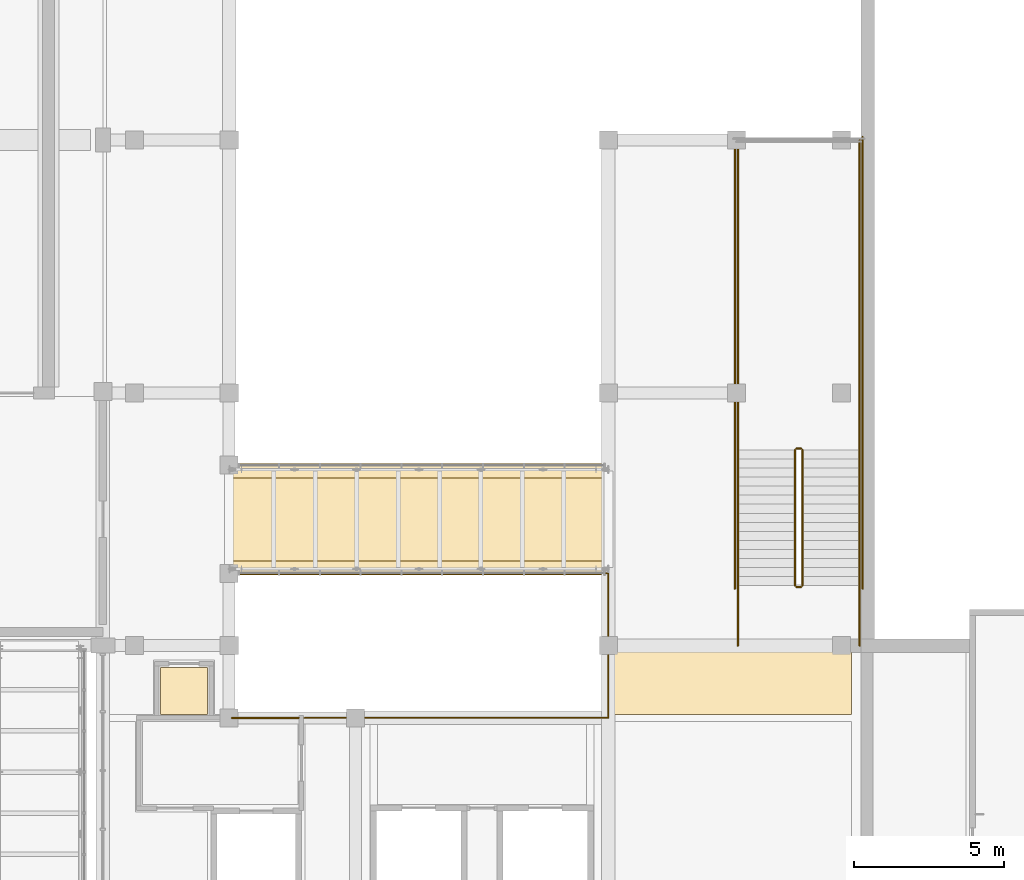
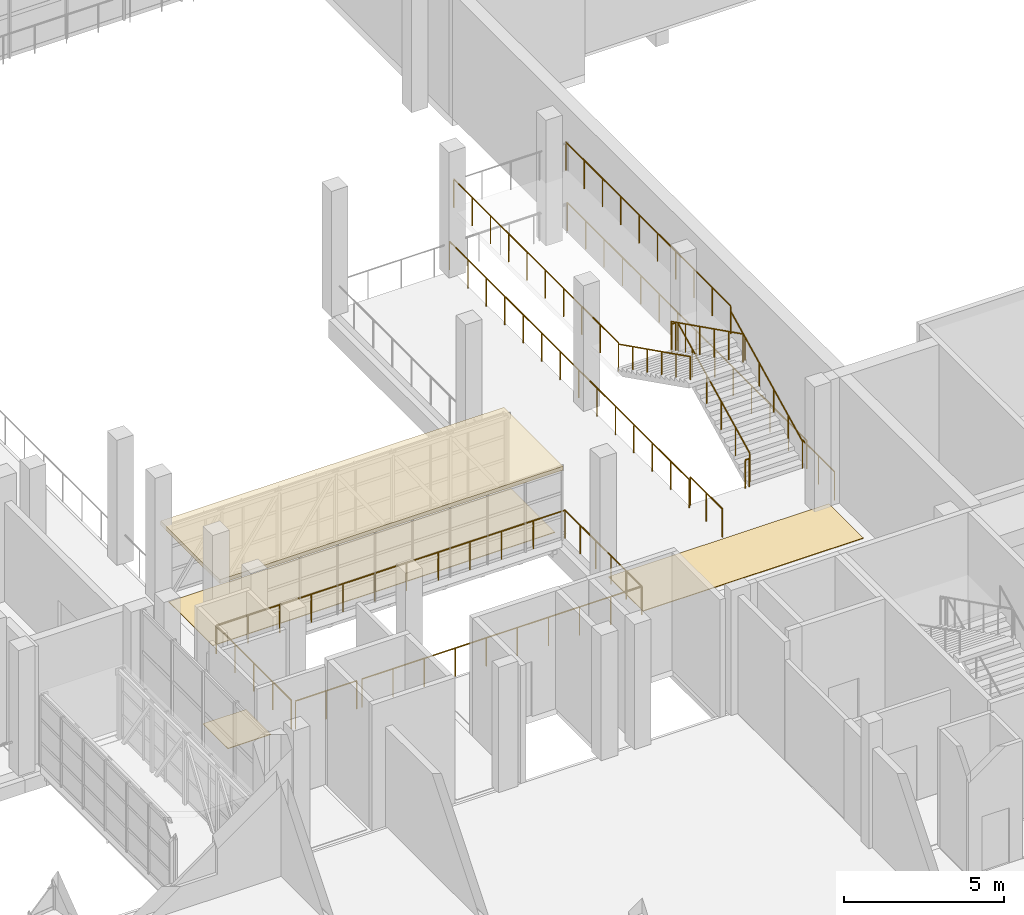
# One storey, part 74 of 86: 14 railings, 4 coverings.
"""IFC4 building model written with IfcOpenShell, lengths in metres."""

from ifc_helpers import new_model, si_unit, direction, frame, origin, origin_2d, place, context, subcontext, project, spatial, polyline, circle, outline, extrude, material, layer, layer_set, type_object, element, save


model = new_model("IFC4")

# Units and contexts
model_context = context("Model", 3, precision=1e-05, world=origin(), true_north=direction((0.0, 1.0)))
body_context = subcontext(model_context, "Body", "Model", "MODEL_VIEW")
ifc_project = project(units=[si_unit("LENGTHUNIT", "METRE"), si_unit("AREAUNIT", "SQUARE_METRE"), si_unit("VOLUMEUNIT", "CUBIC_METRE"), si_unit("PLANEANGLEUNIT", "RADIAN"), si_unit("MASSUNIT", "GRAM", prefix="KILO")], contexts=[model_context])

# Site, building, storey
site_placement = place(None, origin())
site = spatial("IfcSite", under=ifc_project, at=site_placement, CompositionType="ELEMENT")
building_placement = place(site_placement, origin())
building = spatial("IfcBuilding", under=site, at=building_placement, Name="Kiln Court Media Centre", CompositionType="ELEMENT")
storey_placement = place(building_placement, frame((0.0, 0.0, 10.199951171875)))
storey = spatial("IfcBuildingStorey", under=building, at=storey_placement, Name="L02", CompositionType="ELEMENT", Elevation=10.199951171875)

# Coverings
ifc_material_1 = material(Name="Steel ASTM A572 Gr 50 with insulated core", Category="steel")
ifc_layer_1 = layer(ifc_material_1, 0.14990234375)
ifc_layer_set_1 = layer_set([ifc_layer_1], Name="Insulated steel sandwich bridge roof 150")
covering_type_1 = type_object("IfcCoveringType", Name="Insulated steel sandwich bridge roof 150", PredefinedType="ROOFING", material=ifc_layer_set_1)
covering_1_placement = place(storey_placement, frame((0.0, 0.0, 2.675048828125)))
element("IfcCovering", 1, at=covering_1_placement, inside=storey, type_object=covering_type_1, Name="BR-L02-FOY-11 roof", PredefinedType="ROOFING", context=body_context, shape_type="SweptSolid", body=[
    extrude(outline(polyline([(37.89990234375, 35.945068359375), (50.300048828125, 35.945068359375), (50.300048828125, 39.655029296875), (37.89990234375, 39.655029296875), (37.89990234375, 35.945068359375)])), origin(), (0.0, 0.0, 1.0), 0.14990234375),
])
ifc_material_2 = material(Name="Terrazzo")
ifc_layer_2 = layer(ifc_material_2, 0.02490234375)
ifc_layer_set_2 = layer_set([ifc_layer_2], Name="Polished terrazzo floor finish 25")
covering_type_2 = type_object("IfcCoveringType", Name="Polished terrazzo floor finish 25", PredefinedType="FLOORING", material=ifc_layer_set_2)
covering_2_placement = place(storey_placement, origin())
element("IfcCovering", 2, at=covering_2_placement, inside=storey, type_object=covering_type_2, Name="Wheelchair Refuge floor finish", PredefinedType="FLOORING", context=body_context, shape_type="SweptSolid", body=[
    extrude(outline(polyline([(35.52001953125, 31.320068359375), (37.080078125, 31.320068359375), (37.080078125, 32.8798828125), (35.52001953125, 32.8798828125), (35.52001953125, 31.320068359375)])), origin(), (0.0, 0.0, 1.0), 0.025146484375),
])
covering_3_placement = place(storey_placement, origin())
element("IfcCovering", 3, at=covering_3_placement, inside=storey, type_object=covering_type_2, Name="Stair Landing Gallery floor finish", PredefinedType="FLOORING", context=body_context, shape_type="SweptSolid", body=[
    extrude(outline(polyline([(50.52001953125, 31.320068359375), (58.47998046875, 31.320068359375), (58.47998046875, 33.47998046875), (50.52001953125, 33.47998046875), (50.52001953125, 31.320068359375)])), origin(), (0.0, 0.0, 1.0), 0.025146484375),
])
covering_4_placement = place(storey_placement, origin())
element("IfcCovering", 4, at=covering_4_placement, inside=storey, type_object=covering_type_2, Name="Foyer Bridge floor finish", PredefinedType="FLOORING", context=body_context, shape_type="SweptSolid", body=[
    extrude(outline(polyline([(50.280029296875, 36.419921875), (50.280029296875, 39.179931640625), (37.919921875, 39.179931640625), (37.919921875, 36.419921875), (50.280029296875, 36.419921875)])), origin(), (0.0, 0.0, 1.0), 0.025146484375),
])

# Railings
ifc_material_3 = material(Name="Steel S275", Category="steel")
railing_type_1 = type_object("IfcRailingType", Name="Steel S275 balustrade guard 1100", PredefinedType="GUARDRAIL", material=ifc_material_3)
railing_1_placement = place(storey_placement, frame((40.294921875, 31.199951171875, 0.0)))
element("IfcRailing", 5, at=railing_1_placement, inside=storey, type_object=railing_type_1, Name="L02 void edge guard", PredefinedType="GUARDRAIL", context=body_context, shape_type="SweptSolid", body=[
    extrude(circle(Radius=0.02392578125, at=origin_2d()), frame((0.0, 0.0, 1.076171875), z_axis=(1.0, 0.0, 0.0), x_axis=(0.0, 1.0, 0.0)), (0.0, 0.0, 1.0), 10.10498046875),
    extrude(circle(Radius=0.02392578125, at=origin_2d()), frame((10.10498046875, 0.0, 1.076171875), z_axis=(0.0, 1.0, 0.0), x_axis=(-1.0, 0.0, 0.0)), (0.0, 0.0, 1.0), 4.800048828125),
    extrude(circle(Radius=0.02392578125, at=origin_2d()), frame((10.10498046875, 4.800048828125, 1.076171875), z_axis=(-1.0, 0.0, 0.0), x_axis=(0.0, -1.0, 0.0)), (0.0, 0.0, 1.0), 12.599853515625),
    extrude(circle(Radius=0.02392578125, at=origin_2d()), frame((-2.494873046875, 4.800048828125, 1.076171875), z_axis=(0.0, -1.0, 0.0), x_axis=(1.0, 0.0, 0.0)), (0.0, 0.0, 1.0), 4.705078125),
    extrude(circle(Radius=0.02099609375, at=origin_2d()), origin(), (0.0, 0.0, 1.0), 1.052001953125),
    extrude(circle(Radius=0.02099609375, at=origin_2d()), frame((1.122802734375, 0.0, 0.0)), (0.0, 0.0, 1.0), 1.052001953125),
    extrude(circle(Radius=0.02099609375, at=origin_2d()), frame((2.24560546875, 0.0, 0.0)), (0.0, 0.0, 1.0), 1.052001953125),
    extrude(circle(Radius=0.02099609375, at=origin_2d()), frame((3.368408203125, 0.0, 0.0)), (0.0, 0.0, 1.0), 1.052001953125),
    extrude(circle(Radius=0.02099609375, at=origin_2d()), frame((4.4912109375, 0.0, 0.0)), (0.0, 0.0, 1.0), 1.052001953125),
    extrude(circle(Radius=0.02099609375, at=origin_2d()), frame((5.61376953125, 0.0, 0.0)), (0.0, 0.0, 1.0), 1.052001953125),
    extrude(circle(Radius=0.02099609375, at=origin_2d()), frame((6.736572265625, 0.0, 0.0)), (0.0, 0.0, 1.0), 1.052001953125),
    extrude(circle(Radius=0.02099609375, at=origin_2d()), frame((7.859375, 0.0, 0.0)), (0.0, 0.0, 1.0), 1.052001953125),
    extrude(circle(Radius=0.02099609375, at=origin_2d()), frame((8.982177734375, 0.0, 0.0)), (0.0, 0.0, 1.0), 1.052001953125),
    extrude(circle(Radius=0.02099609375, at=origin_2d()), frame((10.10498046875, 0.0, 0.0)), (0.0, 0.0, 1.0), 1.052001953125),
    extrude(circle(Radius=0.02099609375, at=origin_2d()), frame((10.10498046875, 0.9599609375, 0.0)), (0.0, 0.0, 1.0), 1.052001953125),
    extrude(circle(Radius=0.02099609375, at=origin_2d()), frame((10.10498046875, 1.919921875, 0.0)), (0.0, 0.0, 1.0), 1.052001953125),
    extrude(circle(Radius=0.02099609375, at=origin_2d()), frame((10.10498046875, 2.880126953125, 0.0)), (0.0, 0.0, 1.0), 1.052001953125),
    extrude(circle(Radius=0.02099609375, at=origin_2d()), frame((10.10498046875, 3.840087890625, 0.0)), (0.0, 0.0, 1.0), 1.052001953125),
    extrude(circle(Radius=0.02099609375, at=origin_2d()), frame((10.10498046875, 4.800048828125, 0.0)), (0.0, 0.0, 1.0), 1.052001953125),
    extrude(circle(Radius=0.02099609375, at=origin_2d()), frame((8.95947265625, 4.800048828125, 0.0)), (0.0, 0.0, 1.0), 1.052001953125),
    extrude(circle(Radius=0.02099609375, at=origin_2d()), frame((7.814208984375, 4.800048828125, 0.0)), (0.0, 0.0, 1.0), 1.052001953125),
    extrude(circle(Radius=0.02099609375, at=origin_2d()), frame((6.668701171875, 4.800048828125, 0.0)), (0.0, 0.0, 1.0), 1.052001953125),
    extrude(circle(Radius=0.02099609375, at=origin_2d()), frame((5.523193359375, 4.800048828125, 0.0)), (0.0, 0.0, 1.0), 1.052001953125),
    extrude(circle(Radius=0.02099609375, at=origin_2d()), frame((4.377685546875, 4.800048828125, 0.0)), (0.0, 0.0, 1.0), 1.052001953125),
    extrude(circle(Radius=0.02099609375, at=origin_2d()), frame((3.232421875, 4.800048828125, 0.0)), (0.0, 0.0, 1.0), 1.052001953125),
    extrude(circle(Radius=0.02099609375, at=origin_2d()), frame((2.0869140625, 4.800048828125, 0.0)), (0.0, 0.0, 1.0), 1.052001953125),
    extrude(circle(Radius=0.02099609375, at=origin_2d()), frame((0.94140625, 4.800048828125, 0.0)), (0.0, 0.0, 1.0), 1.052001953125),
    extrude(circle(Radius=0.02099609375, at=origin_2d()), frame((-0.2041015625, 4.800048828125, 0.0)), (0.0, 0.0, 1.0), 1.052001953125),
    extrude(circle(Radius=0.02099609375, at=origin_2d()), frame((-1.349365234375, 4.800048828125, 0.0)), (0.0, 0.0, 1.0), 1.052001953125),
    extrude(circle(Radius=0.02099609375, at=origin_2d()), frame((-2.494873046875, 4.800048828125, 0.0)), (0.0, 0.0, 1.0), 1.052001953125),
    extrude(circle(Radius=0.02099609375, at=origin_2d()), frame((-2.494873046875, 3.623779296875, 0.0)), (0.0, 0.0, 1.0), 1.052001953125),
    extrude(circle(Radius=0.02099609375, at=origin_2d()), frame((-2.494873046875, 2.447509765625, 0.0)), (0.0, 0.0, 1.0), 1.052001953125),
    extrude(circle(Radius=0.02099609375, at=origin_2d()), frame((-2.494873046875, 1.271240234375, 0.0)), (0.0, 0.0, 1.0), 1.052001953125),
    extrude(circle(Radius=0.02099609375, at=origin_2d()), frame((-2.494873046875, 0.094970703125, 0.0)), (0.0, 0.0, 1.0), 1.052001953125),
])
railing_2_placement = place(storey_placement, frame((37.89501953125, 31.199951171875, 0.0)))
element("IfcRailing", 6, at=railing_2_placement, inside=storey, type_object=railing_type_1, Name="L02 void edge guard", PredefinedType="GUARDRAIL", context=body_context, shape_type="SweptSolid", body=[
    extrude(circle(Radius=0.02392578125, at=origin_2d()), frame((0.0, 0.0, 1.076171875), z_axis=(1.0, 0.0, 0.0), x_axis=(0.0, 1.0, 0.0)), (0.0, 0.0, 1.0), 2.2099609375),
    extrude(circle(Radius=0.02099609375, at=origin_2d()), origin(), (0.0, 0.0, 1.0), 1.052001953125),
    extrude(circle(Radius=0.02099609375, at=origin_2d()), frame((1.10498046875, 0.0, 0.0)), (0.0, 0.0, 1.0), 1.052001953125),
    extrude(circle(Radius=0.02099609375, at=origin_2d()), frame((2.2099609375, 0.0, 0.0)), (0.0, 0.0, 1.0), 1.052001953125),
])
ifc_material_4 = material(Name="Steel S275", Category="steel")
railing_type_2 = type_object("IfcRailingType", Name="Steel S275 stair guard 1100", PredefinedType="GUARDRAIL", material=ifc_material_4)
railing_3_placement = place(storey_placement, frame((56.85009765625, 35.60009765625, 0.150146484375)))
element("IfcRailing", 7, at=railing_3_placement, inside=storey, type_object=railing_type_2, Name="ST-F1 stair guard", PredefinedType="GUARDRAIL", context=body_context, shape_type="SweptSolid", body=[
    extrude(circle(Radius=0.02392578125, at=origin_2d()), frame((0.0, 0.0, 1.076171875), z_axis=(0.0, 0.894427191, 0.4472135955), x_axis=(-1.0, 0.0, 0.0)), (0.0, 0.0, 1.0), 5.03125),
    extrude(circle(Radius=0.02099609375, at=origin_2d()), origin(), (0.0, 0.0, 1.0), 1.052001953125),
    extrude(circle(Radius=0.02099609375, at=origin_2d()), frame((0.0, 0.89990234375, 0.449951171875)), (0.0, 0.0, 1.0), 1.052001953125),
    extrude(circle(Radius=0.02099609375, at=origin_2d()), frame((0.0, 1.800048828125, 0.89990234375)), (0.0, 0.0, 1.0), 1.052001953125),
    extrude(circle(Radius=0.02099609375, at=origin_2d()), frame((0.0, 2.699951171875, 1.35009765625)), (0.0, 0.0, 1.0), 1.052001953125),
    extrude(circle(Radius=0.02099609375, at=origin_2d()), frame((0.0, 3.60009765625, 1.800048828125)), (0.0, 0.0, 1.0), 1.052001953125),
    extrude(circle(Radius=0.02099609375, at=origin_2d()), frame((0.0, 4.5, 2.25)), (0.0, 0.0, 1.0), 1.052001953125),
])
railing_4_placement = place(storey_placement, frame((56.800048828125, 40.14990234375, 2.400146484375)))
element("IfcRailing", 8, at=railing_4_placement, inside=storey, type_object=railing_type_2, Name="ST-F1 stair guard", PredefinedType="GUARDRAIL", context=body_context, shape_type="SweptSolid", body=[
    extrude(circle(Radius=0.02392578125, at=origin_2d()), frame((0.0, 0.0, 1.076171875), z_axis=(-1.0, 0.0, 0.0), x_axis=(0.0, -1.0, 0.0)), (0.0, 0.0, 1.0), 0.150146484375),
    extrude(circle(Radius=0.02099609375, at=origin_2d()), origin(), (0.0, 0.0, 1.0), 1.052001953125),
    extrude(circle(Radius=0.02099609375, at=origin_2d()), frame((-0.150146484375, 0.0, 0.0)), (0.0, 0.0, 1.0), 1.052001953125),
])
for number, where, name in (
    (9, (58.75, 40.10009765625, 2.400146484375), "ST-F1 stair guard"),
    (10, (54.699951171875, 40.10009765625, 2.400146484375), "ST-F1 stair guard"),
):
    element("IfcRailing", number, at=place(storey_placement, frame(where)), inside=storey, type_object=railing_type_2, Name=name, PredefinedType="GUARDRAIL", context=body_context, shape_type="SweptSolid", body=[
        extrude(circle(Radius=0.02392578125, at=origin_2d()), frame((0.0, 0.0, 1.076171875), z_axis=(0.0, 1.0, 0.0), x_axis=(-1.0, 0.0, 0.0)), (0.0, 0.0, 1.0), 10.2998046875),
        extrude(circle(Radius=0.02099609375, at=origin_2d()), origin(), (0.0, 0.0, 1.0), 1.052001953125),
        extrude(circle(Radius=0.02099609375, at=origin_2d()), frame((0.0, 1.14453125, 0.0)), (0.0, 0.0, 1.0), 1.052001953125),
        extrude(circle(Radius=0.02099609375, at=origin_2d()), frame((0.0, 2.288818359375, 0.0)), (0.0, 0.0, 1.0), 1.052001953125),
        extrude(circle(Radius=0.02099609375, at=origin_2d()), frame((0.0, 3.433349609375, 0.0)), (0.0, 0.0, 1.0), 1.052001953125),
        extrude(circle(Radius=0.02099609375, at=origin_2d()), frame((0.0, 4.57763671875, 0.0)), (0.0, 0.0, 1.0), 1.052001953125),
        extrude(circle(Radius=0.02099609375, at=origin_2d()), frame((0.0, 5.72216796875, 0.0)), (0.0, 0.0, 1.0), 1.052001953125),
        extrude(circle(Radius=0.02099609375, at=origin_2d()), frame((0.0, 6.866455078125, 0.0)), (0.0, 0.0, 1.0), 1.052001953125),
        extrude(circle(Radius=0.02099609375, at=origin_2d()), frame((0.0, 8.010986328125, 0.0)), (0.0, 0.0, 1.0), 1.052001953125),
        extrude(circle(Radius=0.02099609375, at=origin_2d()), frame((0.0, 9.1552734375, 0.0)), (0.0, 0.0, 1.0), 1.052001953125),
        extrude(circle(Radius=0.02099609375, at=origin_2d()), frame((0.0, 10.2998046875, 0.0)), (0.0, 0.0, 1.0), 1.052001953125),
    ])
railing_5_placement = place(storey_placement, frame((56.60009765625, 40.10009765625, 2.550048828125)))
element("IfcRailing", 11, at=railing_5_placement, inside=storey, type_object=railing_type_2, Name="ST-F1 stair guard", PredefinedType="GUARDRAIL", context=body_context, shape_type="SweptSolid", body=[
    extrude(circle(Radius=0.02392578125, at=origin_2d()), frame((0.0, 0.0, 1.076171875), z_axis=(0.0, -0.894427191, 0.4472135955), x_axis=(1.0, 0.0, 0.0)), (0.0, 0.0, 1.0), 5.03125),
    extrude(circle(Radius=0.02099609375, at=origin_2d()), origin(), (0.0, 0.0, 1.0), 1.052001953125),
    extrude(circle(Radius=0.02099609375, at=origin_2d()), frame((0.0, -0.89990234375, 0.449951171875)), (0.0, 0.0, 1.0), 1.052001953125),
    extrude(circle(Radius=0.02099609375, at=origin_2d()), frame((0.0, -1.800048828125, 0.89990234375)), (0.0, 0.0, 1.0), 1.052001953125),
    extrude(circle(Radius=0.02099609375, at=origin_2d()), frame((0.0, -2.699951171875, 1.35009765625)), (0.0, 0.0, 1.0), 1.052001953125),
    extrude(circle(Radius=0.02099609375, at=origin_2d()), frame((0.0, -3.60009765625, 1.800048828125)), (0.0, 0.0, 1.0), 1.052001953125),
    extrude(circle(Radius=0.02099609375, at=origin_2d()), frame((0.0, -4.5, 2.25)), (0.0, 0.0, 1.0), 1.052001953125),
])
railing_6_placement = place(storey_placement, frame((56.800048828125, 35.550048828125, 0.0)))
element("IfcRailing", 12, at=railing_6_placement, inside=storey, type_object=railing_type_2, Name="ST-F1 stair guard", PredefinedType="GUARDRAIL", context=body_context, shape_type="SweptSolid", body=[
    extrude(circle(Radius=0.02392578125, at=origin_2d()), frame((0.0, 0.0, 1.076171875), z_axis=(-1.0, 0.0, 0.0), x_axis=(0.0, -1.0, 0.0)), (0.0, 0.0, 1.0), 0.150146484375),
    extrude(circle(Radius=0.02099609375, at=origin_2d()), origin(), (0.0, 0.0, 1.0), 1.052001953125),
    extrude(circle(Radius=0.02099609375, at=origin_2d()), frame((-0.150146484375, 0.0, 0.0)), (0.0, 0.0, 1.0), 1.052001953125),
])
for number, where, name in (
    (13, (58.75, 33.60009765625, 0.0), "ST-F1 stair guard"),
    (14, (54.699951171875, 33.60009765625, 0.0), "ST-F1 stair guard"),
):
    element("IfcRailing", number, at=place(storey_placement, frame(where)), inside=storey, type_object=railing_type_2, Name=name, PredefinedType="GUARDRAIL", context=body_context, shape_type="SweptSolid", body=[
        extrude(circle(Radius=0.02392578125, at=origin_2d()), frame((0.0, 0.0, 1.076171875), z_axis=(0.0, 1.0, 0.0), x_axis=(-1.0, 0.0, 0.0)), (0.0, 0.0, 1.0), 2.0),
        extrude(circle(Radius=0.02099609375, at=origin_2d()), origin(), (0.0, 0.0, 1.0), 1.052001953125),
        extrude(circle(Radius=0.02099609375, at=origin_2d()), frame((0.0, 1.0, 0.0)), (0.0, 0.0, 1.0), 1.052001953125),
        extrude(circle(Radius=0.02099609375, at=origin_2d()), frame((0.0, 2.0, 0.0)), (0.0, 0.0, 1.0), 1.052001953125),
    ])
railing_7_placement = place(storey_placement, frame((58.85009765625, 35.5, 0.0)))
element("IfcRailing", 15, at=railing_7_placement, inside=storey, type_object=railing_type_2, Name="ST-F1 stair guard", PredefinedType="GUARDRAIL", context=body_context, shape_type="SweptSolid", body=[
    extrude(circle(Radius=0.02392578125, at=origin_2d()), frame((0.0, 0.0, 1.076171875), z_axis=(0.0, 1.0, 0.0), x_axis=(-1.0, 0.0, 0.0)), (0.0, 0.0, 1.0), 15.0),
    extrude(circle(Radius=0.02099609375, at=origin_2d()), origin(), (0.0, 0.0, 1.0), 1.052001953125),
    extrude(circle(Radius=0.02099609375, at=origin_2d()), frame((0.0, 1.15380859375, 0.0)), (0.0, 0.0, 1.0), 1.052001953125),
    extrude(circle(Radius=0.02099609375, at=origin_2d()), frame((0.0, 2.3076171875, 0.0)), (0.0, 0.0, 1.0), 1.052001953125),
    extrude(circle(Radius=0.02099609375, at=origin_2d()), frame((0.0, 3.46142578125, 0.0)), (0.0, 0.0, 1.0), 1.052001953125),
    extrude(circle(Radius=0.02099609375, at=origin_2d()), frame((0.0, 4.615478515625, 0.0)), (0.0, 0.0, 1.0), 1.052001953125),
    extrude(circle(Radius=0.02099609375, at=origin_2d()), frame((0.0, 5.769287109375, 0.0)), (0.0, 0.0, 1.0), 1.052001953125),
    extrude(circle(Radius=0.02099609375, at=origin_2d()), frame((0.0, 6.923095703125, 0.0)), (0.0, 0.0, 1.0), 1.052001953125),
    extrude(circle(Radius=0.02099609375, at=origin_2d()), frame((0.0, 8.076904296875, 0.0)), (0.0, 0.0, 1.0), 1.052001953125),
    extrude(circle(Radius=0.02099609375, at=origin_2d()), frame((0.0, 9.230712890625, 0.0)), (0.0, 0.0, 1.0), 1.052001953125),
    extrude(circle(Radius=0.02099609375, at=origin_2d()), frame((0.0, 10.384521484375, 0.0)), (0.0, 0.0, 1.0), 1.052001953125),
    extrude(circle(Radius=0.02099609375, at=origin_2d()), frame((0.0, 11.53857421875, 0.0)), (0.0, 0.0, 1.0), 1.052001953125),
    extrude(circle(Radius=0.02099609375, at=origin_2d()), frame((0.0, 12.6923828125, 0.0)), (0.0, 0.0, 1.0), 1.052001953125),
    extrude(circle(Radius=0.02099609375, at=origin_2d()), frame((0.0, 13.84619140625, 0.0)), (0.0, 0.0, 1.0), 1.052001953125),
    extrude(circle(Radius=0.02099609375, at=origin_2d()), frame((0.0, 15.0, 0.0)), (0.0, 0.0, 1.0), 1.052001953125),
])
railing_8_placement = place(storey_placement, frame((54.60009765625, 35.5, 0.0)))
element("IfcRailing", 16, at=railing_8_placement, inside=storey, type_object=railing_type_2, Name="ST-F1 stair guard", PredefinedType="GUARDRAIL", context=body_context, shape_type="SweptSolid", body=[
    extrude(circle(Radius=0.02392578125, at=origin_2d()), frame((0.0, 0.0, 1.076171875), z_axis=(0.0, 1.0, 0.0), x_axis=(-1.0, 0.0, 0.0)), (0.0, 0.0, 1.0), 15.0),
    extrude(circle(Radius=0.02099609375, at=origin_2d()), origin(), (0.0, 0.0, 1.0), 1.052001953125),
    extrude(circle(Radius=0.02099609375, at=origin_2d()), frame((0.0, 1.15380859375, 0.0)), (0.0, 0.0, 1.0), 1.052001953125),
    extrude(circle(Radius=0.02099609375, at=origin_2d()), frame((0.0, 2.3076171875, 0.0)), (0.0, 0.0, 1.0), 1.052001953125),
    extrude(circle(Radius=0.02099609375, at=origin_2d()), frame((0.0, 3.46142578125, 0.0)), (0.0, 0.0, 1.0), 1.052001953125),
    extrude(circle(Radius=0.02099609375, at=origin_2d()), frame((0.0, 4.615478515625, 0.0)), (0.0, 0.0, 1.0), 1.052001953125),
    extrude(circle(Radius=0.02099609375, at=origin_2d()), frame((0.0, 5.769287109375, 0.0)), (0.0, 0.0, 1.0), 1.052001953125),
    extrude(circle(Radius=0.02099609375, at=origin_2d()), frame((0.0, 6.923095703125, 0.0)), (0.0, 0.0, 1.0), 1.052001953125),
    extrude(circle(Radius=0.02099609375, at=origin_2d()), frame((0.0, 8.076904296875, 0.0)), (0.0, 0.0, 1.0), 1.052001953125),
    extrude(circle(Radius=0.02099609375, at=origin_2d()), frame((0.0, 9.230712890625, 0.0)), (0.0, 0.0, 1.0), 1.052001953125),
    extrude(circle(Radius=0.02099609375, at=origin_2d()), frame((0.0, 10.384521484375, 0.0)), (0.0, 0.0, 1.0), 1.052001953125),
    extrude(circle(Radius=0.02099609375, at=origin_2d()), frame((0.0, 11.53857421875, 0.0)), (0.0, 0.0, 1.0), 1.052001953125),
    extrude(circle(Radius=0.02099609375, at=origin_2d()), frame((0.0, 12.6923828125, 0.0)), (0.0, 0.0, 1.0), 1.052001953125),
    extrude(circle(Radius=0.02099609375, at=origin_2d()), frame((0.0, 13.84619140625, 0.0)), (0.0, 0.0, 1.0), 1.052001953125),
    extrude(circle(Radius=0.02099609375, at=origin_2d()), frame((0.0, 15.0, 0.0)), (0.0, 0.0, 1.0), 1.052001953125),
])
ifc_material_5 = material(Name="Steel S275", Category="steel")
railing_type_3 = type_object("IfcRailingType", Name="Steel S275 stair handrail 900", PredefinedType="HANDRAIL", material=ifc_material_5)
railing_9_placement = place(storey_placement, frame((58.75, 35.60009765625, 0.150146484375)))
element("IfcRailing", 17, at=railing_9_placement, inside=storey, type_object=railing_type_3, Name="ST-F1 stair handrail", PredefinedType="HANDRAIL", context=body_context, shape_type="SweptSolid", body=[
    extrude(circle(Radius=0.02392578125, at=origin_2d()), frame((0.0, 0.0, 0.8759765625), z_axis=(0.0, 0.894427191, 0.4472135955), x_axis=(-1.0, 0.0, 0.0)), (0.0, 0.0, 1.0), 5.03125),
    extrude(circle(Radius=0.02099609375, at=origin_2d()), origin(), (0.0, 0.0, 1.0), 0.851806640625),
    extrude(circle(Radius=0.02099609375, at=origin_2d()), frame((0.0, 0.89990234375, 0.449951171875)), (0.0, 0.0, 1.0), 0.851806640625),
    extrude(circle(Radius=0.02099609375, at=origin_2d()), frame((0.0, 1.800048828125, 0.89990234375)), (0.0, 0.0, 1.0), 0.851806640625),
    extrude(circle(Radius=0.02099609375, at=origin_2d()), frame((0.0, 2.699951171875, 1.35009765625)), (0.0, 0.0, 1.0), 0.851806640625),
    extrude(circle(Radius=0.02099609375, at=origin_2d()), frame((0.0, 3.60009765625, 1.800048828125)), (0.0, 0.0, 1.0), 0.851806640625),
    extrude(circle(Radius=0.02099609375, at=origin_2d()), frame((0.0, 4.5, 2.25)), (0.0, 0.0, 1.0), 0.851806640625),
])
railing_10_placement = place(storey_placement, frame((54.699951171875, 40.10009765625, 2.550048828125)))
element("IfcRailing", 18, at=railing_10_placement, inside=storey, type_object=railing_type_3, Name="ST-F1 stair handrail", PredefinedType="HANDRAIL", context=body_context, shape_type="SweptSolid", body=[
    extrude(circle(Radius=0.02392578125, at=origin_2d()), frame((0.0, 0.0, 0.8759765625), z_axis=(0.0, -0.894427191, 0.4472135955), x_axis=(1.0, 0.0, 0.0)), (0.0, 0.0, 1.0), 5.03125),
    extrude(circle(Radius=0.02099609375, at=origin_2d()), origin(), (0.0, 0.0, 1.0), 0.851806640625),
    extrude(circle(Radius=0.02099609375, at=origin_2d()), frame((0.0, -0.89990234375, 0.449951171875)), (0.0, 0.0, 1.0), 0.851806640625),
    extrude(circle(Radius=0.02099609375, at=origin_2d()), frame((0.0, -1.800048828125, 0.89990234375)), (0.0, 0.0, 1.0), 0.851806640625),
    extrude(circle(Radius=0.02099609375, at=origin_2d()), frame((0.0, -2.699951171875, 1.35009765625)), (0.0, 0.0, 1.0), 0.851806640625),
    extrude(circle(Radius=0.02099609375, at=origin_2d()), frame((0.0, -3.60009765625, 1.800048828125)), (0.0, 0.0, 1.0), 0.851806640625),
    extrude(circle(Radius=0.02099609375, at=origin_2d()), frame((0.0, -4.5, 2.25)), (0.0, 0.0, 1.0), 0.851806640625),
])

save(model, "model.ifc")
